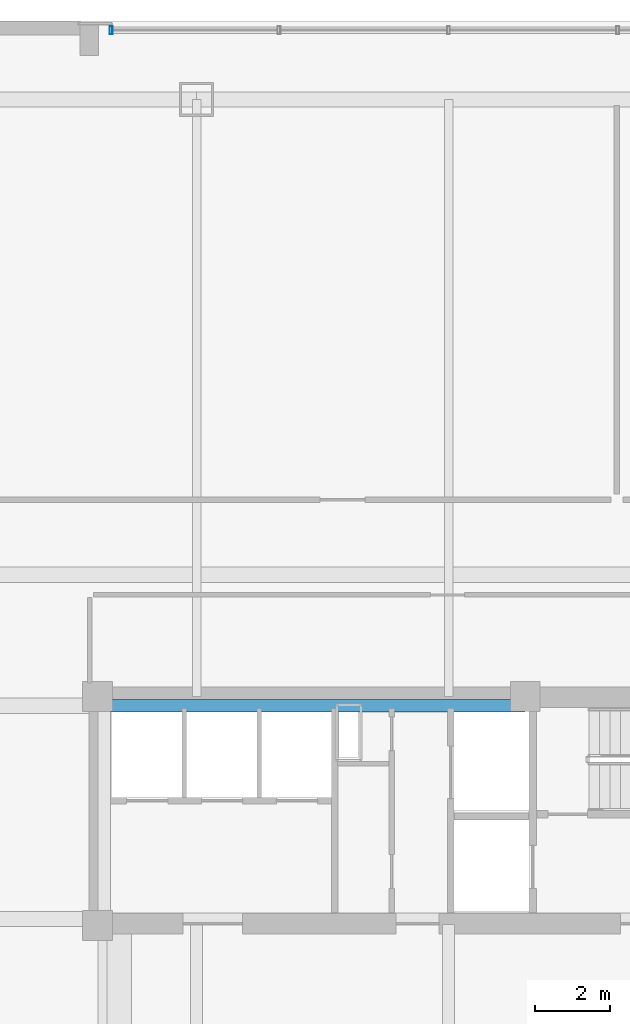
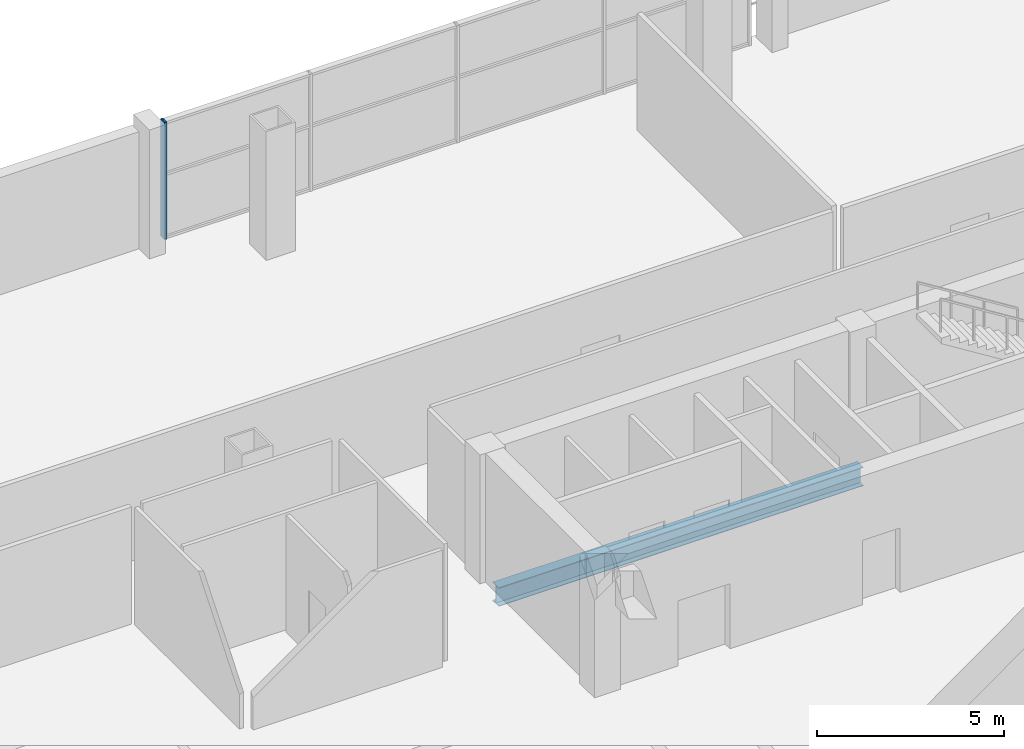
# One storey, part 8 of 21: 1 beam, 1 member, 1 element without a shape of its own.
"""IFC4 building model written with IfcOpenShell, lengths in metres."""

from ifc_helpers import new_model, si_unit, direction, frame, origin, origin_2d, place, context, subcontext, project, spatial, hollow_rectangle, i_section, extrude, material, layer, layer_set, material_profile, profile_set, type_object, element, aggregate, save


model = new_model("IFC4")

# Units and contexts
model_context = context("Model", 3, precision=1e-05, world=origin(), true_north=direction((0.0, 1.0)))
body_context = subcontext(model_context, "Body", "Model", "MODEL_VIEW")
ifc_project = project(units=[si_unit("LENGTHUNIT", "METRE"), si_unit("AREAUNIT", "SQUARE_METRE"), si_unit("VOLUMEUNIT", "CUBIC_METRE"), si_unit("PLANEANGLEUNIT", "RADIAN"), si_unit("MASSUNIT", "GRAM", prefix="KILO")], contexts=[model_context])

# Site, building, storey
site_placement = place(None, origin())
site = spatial("IfcSite", under=ifc_project, at=site_placement, CompositionType="ELEMENT")
building_placement = place(site_placement, origin())
building = spatial("IfcBuilding", under=site, at=building_placement, Name="Qhalaya Broadcast Tower", CompositionType="ELEMENT")
storey_placement = place(building_placement, frame((0.0, 0.0, 17.699951171875)))
storey = spatial("IfcBuildingStorey", under=building, at=storey_placement, Name="L04", CompositionType="ELEMENT", Elevation=17.699951171875)

# Beam
ifc_material_1 = material(Name="Structural Steel ASTM A992 Grade 50", Category="steel")
ifc_material_profile_1 = material_profile(ifc_material_1, i_section(OverallWidth=0.323974609375, OverallDepth=0.612060546875, WebThickness=0.0126953125, FlangeThickness=0.01904296875, at=origin_2d()), Name="W24X104")
ifc_profile_set_1 = profile_set([ifc_material_profile_1], Name="Structural Steel ASTM A992 Grade 50")
beam_type = type_object("IfcBeamType", Name="Core Frame Tie Beam B04", PredefinedType="BEAM", material=ifc_profile_set_1)
beam_placement = place(storey_placement, frame((-9.199951171875, 9.699951171875, -0.6259765625), z_axis=(1.0, 0.0, 0.0), x_axis=(0.0, 1.0, 0.0)))
element("IfcBeam", 1, at=beam_placement, inside=storey, type_object=beam_type, Name="L04 B04 L04-CCN3", PredefinedType="BEAM", context=body_context, shape_type="SweptSolid", body=[
    extrude(i_section(OverallWidth=0.323974609375, OverallDepth=0.612060546875, WebThickness=0.0126953125, FlangeThickness=0.01904296875, at=origin_2d()), origin(), (0.0, 0.0, 1.0), 11.25),
])

# Curtain wall, member
ifc_material_2 = material(Name="Solar-Control Low-E Triple Glazing", Category="glass")
ifc_layer = layer(ifc_material_2, 0.219970703125, Name="Solar-Control Low-E Triple Glazing")
ifc_layer_set = layer_set([ifc_layer], Name="Solar-Control Low-E Triple Glazing")
curtain_wall_type = type_object("IfcCurtainWallType", Name="Podium Concourse Triple-Height Glazed Portal CW-01", PredefinedType="NOTDEFINED", material=ifc_layer_set)
curtain_wall_placement = place(storey_placement, origin())
curtain_wall = element("IfcCurtainWall", 2, at=curtain_wall_placement, inside=storey, type_object=curtain_wall_type, Name="L04 Unitised Curtain Wall L04-CW01-N", PredefinedType="NOTDEFINED")
ifc_material_3 = material(Name="Anodised Aluminium 6063-T6", Category="aluminium")
ifc_material_profile_2 = material_profile(ifc_material_3, hollow_rectangle(XDim=0.074951171875, YDim=0.219970703125, WallThickness=0.00390625, at=origin_2d()), Name="ALU-MUL 75x220x4")
ifc_profile_set_2 = profile_set([ifc_material_profile_2], Name="Anodised Aluminium 6063-T6")
member_type = type_object("IfcMemberType", Name="Unitised Curtain-Wall Mullion M01", PredefinedType="MULLION", material=ifc_profile_set_2)
member_placement = place(storey_placement, frame((-9.012451171875, 27.75, 0.0), z_axis=(0.0, 0.0, 1.0), x_axis=(-1.0, 0.0, 0.0)))
member = element("IfcMember", 3, at=member_placement, type_object=member_type, Name="CW-01 mullion 5", PredefinedType="MULLION", context=body_context, shape_type="SweptSolid", body=[
    extrude(hollow_rectangle(XDim=0.074951171875, YDim=0.219970703125, WallThickness=0.00390625, at=origin_2d()), origin(), (0.0, 0.0, 1.0), 3.820068359375),
])
aggregate(curtain_wall, [member])

save(model, "model.ifc")
